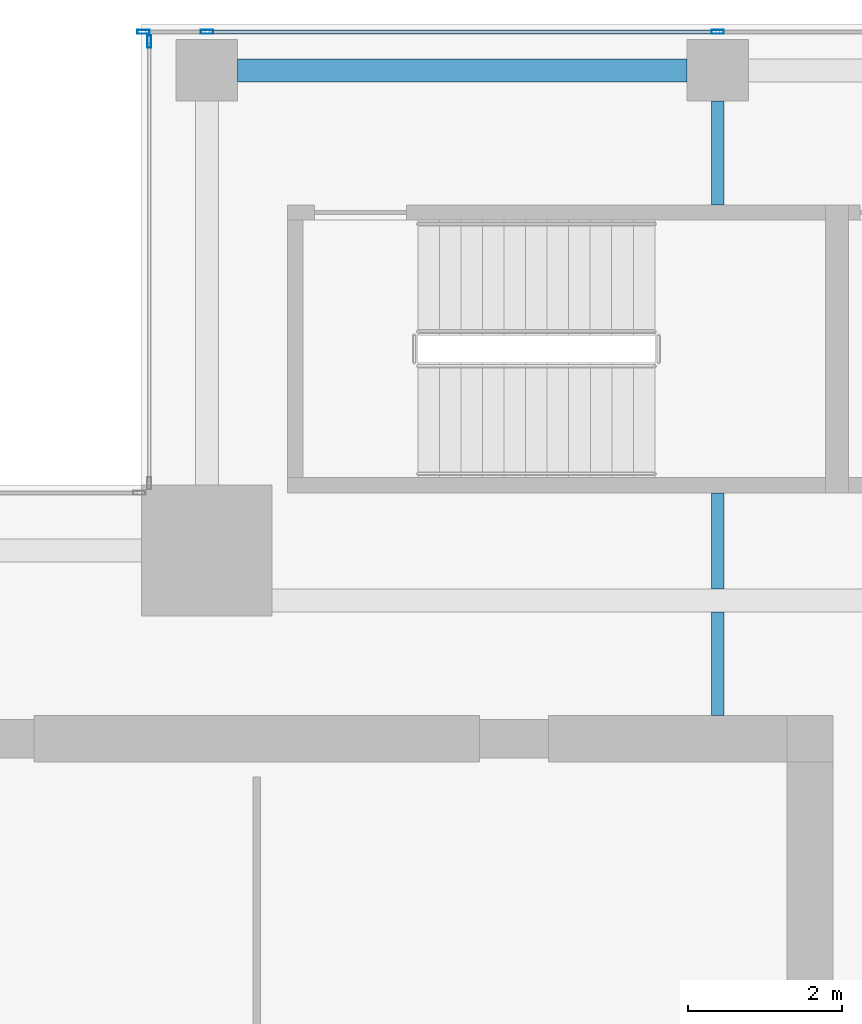
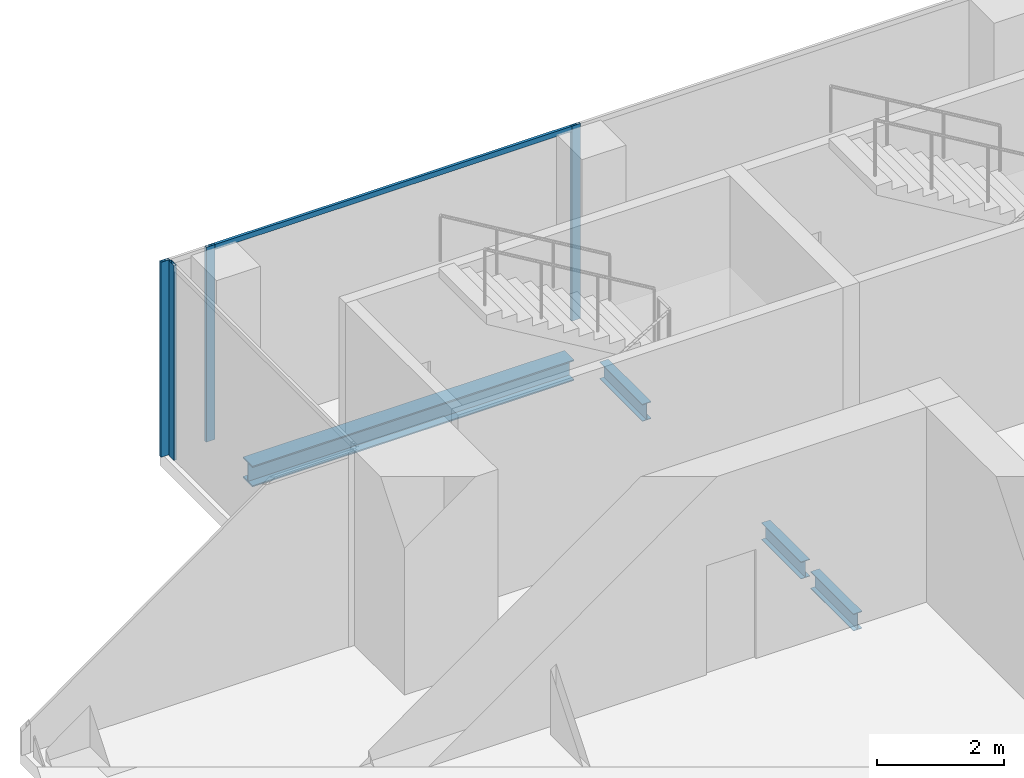
# One storey, part 15 of 29: 5 members, 4 beams, 2 elements without a shape of their own.
"""IFC4 building model written with IfcOpenShell, lengths in metres."""

from ifc_helpers import new_model, si_unit, direction, frame, origin, origin_2d, place, context, subcontext, project, spatial, hollow_rectangle, i_section, extrude, source, transform, mapped, material, material_profile, profile_set, type_object, element, aggregate, save


model = new_model("IFC4")

# Units and contexts
model_context = context("Model", 3, precision=1e-05, world=origin(), true_north=direction((0.0, 1.0)))
body_context = subcontext(model_context, "Body", "Model", "MODEL_VIEW")
ifc_project = project(units=[si_unit("LENGTHUNIT", "METRE"), si_unit("AREAUNIT", "SQUARE_METRE"), si_unit("VOLUMEUNIT", "CUBIC_METRE"), si_unit("PLANEANGLEUNIT", "RADIAN"), si_unit("MASSUNIT", "GRAM", prefix="KILO")], contexts=[model_context])

# Site, building, storey
site_placement = place(None, origin())
site = spatial("IfcSite", under=ifc_project, at=site_placement, CompositionType="ELEMENT")
building_placement = place(site_placement, origin())
building = spatial("IfcBuilding", under=site, at=building_placement, Name="Khomas Fold Tower", CompositionType="ELEMENT")
storey_placement = place(building_placement, frame((0.0, 0.0, 310.199951171875)))
storey = spatial("IfcBuildingStorey", under=building, at=storey_placement, Name="L70", CompositionType="ELEMENT", Elevation=310.199951171875)

# Beams
ifc_material_1 = material(Name="Steel S355", Category="steel")
ifc_material_profile_1 = material_profile(ifc_material_1, i_section(OverallWidth=0.159912109375, OverallDepth=0.330078125, WebThickness=0.007568359375, FlangeThickness=0.011474609375, at=origin_2d()), Name="IPE 330")
ifc_profile_set_1 = profile_set([ifc_material_profile_1], Name="Steel S355")
beam_type_1 = type_object("IfcBeamType", Name="IPE 330 beam JB1", PredefinedType="BEAM", material=ifc_profile_set_1)
shared_shape_1 = source(origin(), body_context, "Body", "SweptSolid", [
    extrude(i_section(OverallWidth=0.159912109375, OverallDepth=0.330078125, WebThickness=0.007568359375, FlangeThickness=0.011474609375, at=origin_2d()), origin(), (0.0, 0.0, 1.0), 1.25),
])
beam_1_placement = place(storey_placement, frame((19.5, 40.64990234375, -0.4150390625), z_axis=(0.0, 1.0, 0.0), x_axis=(-1.0, 0.0, 0.0)))
element("IfcBeam", 1, at=beam_1_placement, inside=storey, type_object=beam_type_1, Name="JB1", PredefinedType="BEAM", context=body_context, shape_type="MappedRepresentation", body=[
    mapped(shared_shape_1, transform((0.0, 0.0, 0.0))),
])
shared_shape_2 = source(origin(), body_context, "Body", "SweptSolid", [
    extrude(i_section(OverallWidth=0.159912109375, OverallDepth=0.330078125, WebThickness=0.007568359375, FlangeThickness=0.011474609375, at=origin_2d()), origin(), (0.0, 0.0, 1.0), 1.35009765625),
])
for number, where, z_axis, x_axis, name in (
    (2, (19.5, 39.0, -0.4150390625), (0.0, 1.0, 0.0), (-1.0, 0.0, 0.0), "JB1"),
    (3, (19.5, 45.64990234375, -0.4150390625), (0.0, 1.0, 0.0), (-1.0, 0.0, 0.0), "JB1"),
):
    element("IfcBeam", number, at=place(storey_placement, frame(where, z_axis=z_axis, x_axis=x_axis)), inside=storey, type_object=beam_type_1, Name=name, PredefinedType="BEAM", context=body_context, shape_type="MappedRepresentation", body=[
        mapped(shared_shape_2, transform((0.0, 0.0, 0.0))),
    ])
ifc_material_2 = material(Name="Steel S355", Category="steel")
ifc_material_profile_2 = material_profile(ifc_material_2, i_section(OverallWidth=0.300048828125, OverallDepth=0.39990234375, WebThickness=0.013427734375, FlangeThickness=0.02392578125, at=origin_2d()), Name="HE 400 B")
ifc_profile_set_2 = profile_set([ifc_material_profile_2], Name="Steel S355")
beam_type_2 = type_object("IfcBeamType", Name="HE 400 B spandrel SB5", PredefinedType="SPANDREL", material=ifc_profile_set_2)
shared_shape_3 = source(origin(), body_context, "Body", "SweptSolid", [
    extrude(i_section(OverallWidth=0.300048828125, OverallDepth=0.39990234375, WebThickness=0.013427734375, FlangeThickness=0.02392578125, at=origin_2d()), origin(), (0.0, 0.0, 1.0), 5.85009765625),
])
beam_2_placement = place(storey_placement, frame((13.25, 47.39990234375, -0.449951171875), z_axis=(1.0, 0.0, 0.0), x_axis=(0.0, 1.0, 0.0)))
element("IfcBeam", 4, at=beam_2_placement, inside=storey, type_object=beam_type_2, Name="SB5", PredefinedType="SPANDREL", context=body_context, shape_type="MappedRepresentation", body=[
    mapped(shared_shape_3, transform((0.0, 0.0, 0.0))),
])

# Curtain wall, members
ifc_material_3 = material(Name="Aluminium framed double glazing", Category="aluminium")
curtain_wall_type = type_object("IfcCurtainWallType", Name="SK-Unitised clear-glass wall, upper floors CW3", PredefinedType="NOTDEFINED", material=ifc_material_3)
curtain_wall_1_placement = place(storey_placement, origin())
curtain_wall_1 = element("IfcCurtainWall", 5, at=curtain_wall_1_placement, inside=storey, type_object=curtain_wall_type, Name="CW3 run L70 06-1", PredefinedType="NOTDEFINED")
ifc_material_4 = material(Name="Aluminium", Category="aluminium")
ifc_material_profile_3 = material_profile(ifc_material_4, hollow_rectangle(XDim=0.050048828125, YDim=0.159912109375, WallThickness=0.00390625, at=origin_2d()), Name="SK-Unitised clear-glass wall, upper floors mullion CW3-M")
ifc_profile_set_3 = profile_set([ifc_material_profile_3], Name="Aluminium")
member_type_1 = type_object("IfcMemberType", Name="SK-Unitised clear-glass wall, upper floors mullion CW3-M", PredefinedType="MULLION", material=ifc_profile_set_3)
shared_shape_4 = source(origin(), body_context, "Body", "SweptSolid", [
    extrude(hollow_rectangle(XDim=0.050048828125, YDim=0.159912109375, WallThickness=0.00390625, at=origin_2d()), origin(), (0.0, 0.0, 1.0), 3.75),
])
member_1_placement = place(storey_placement, frame((19.5, 47.89990234375, 0.0), z_axis=(0.0, 0.0, 1.0), x_axis=(0.0, -1.0, 0.0)))
member_1 = element("IfcMember", 6, at=member_1_placement, type_object=member_type_1, Name="CW3 mullion 4", PredefinedType="MULLION", context=body_context, shape_type="MappedRepresentation", body=[
    mapped(shared_shape_4, transform((0.0, 0.0, 0.0))),
])
member_2_placement = place(storey_placement, frame((12.85009765625, 47.89990234375, 0.0), z_axis=(0.0, 0.0, 1.0), x_axis=(0.0, -1.0, 0.0)))
member_2 = element("IfcMember", 7, at=member_2_placement, type_object=member_type_1, Name="CW3 mullion 5", PredefinedType="MULLION", context=body_context, shape_type="MappedRepresentation", body=[
    mapped(shared_shape_4, transform((0.0, 0.0, 0.0))),
])
member_3_placement = place(storey_placement, frame((12.02490234375, 47.89990234375, 0.0), z_axis=(0.0, 0.0, 1.0), x_axis=(0.0, -1.0, 0.0)))
member_3 = element("IfcMember", 8, at=member_3_placement, type_object=member_type_1, Name="CW3 mullion 6", PredefinedType="MULLION", context=body_context, shape_type="MappedRepresentation", body=[
    mapped(shared_shape_4, transform((0.0, 0.0, 0.0))),
])

# Curtain wall, member
curtain_wall_2_placement = place(storey_placement, origin())
curtain_wall_2 = element("IfcCurtainWall", 9, at=curtain_wall_2_placement, inside=storey, type_object=curtain_wall_type, Name="CW3 corner return L70 07", PredefinedType="NOTDEFINED")
member_4_placement = place(storey_placement, frame((12.10009765625, 47.77490234375, 0.0), z_axis=(0.0, 0.0, 1.0), x_axis=(1.0, 0.0, 0.0)))
member_4 = element("IfcMember", 10, at=member_4_placement, type_object=member_type_1, Name="CW3 mullion 1", PredefinedType="MULLION", context=body_context, shape_type="MappedRepresentation", body=[
    mapped(shared_shape_4, transform((0.0, 0.0, 0.0))),
])
aggregate(curtain_wall_2, [member_4])

# Member
ifc_material_5 = material(Name="Aluminium", Category="aluminium")
ifc_material_profile_4 = material_profile(ifc_material_5, hollow_rectangle(XDim=0.050048828125, YDim=0.10009765625, WallThickness=0.00390625, at=origin_2d()), Name="SK-Unitised clear-glass wall, upper floors transom CW3-T")
ifc_profile_set_4 = profile_set([ifc_material_profile_4], Name="Aluminium")
member_type_2 = type_object("IfcMemberType", Name="SK-Unitised clear-glass wall, upper floors transom CW3-T", PredefinedType="USERDEFINED", material=ifc_profile_set_4)
shared_shape_5 = source(origin(), body_context, "Body", "SweptSolid", [
    extrude(hollow_rectangle(XDim=0.050048828125, YDim=0.10009765625, WallThickness=0.00390625, at=origin_2d()), origin(), (0.0, 0.0, 1.0), 6.60009765625),
])
member_5_placement = place(storey_placement, frame((19.47509765625, 47.89990234375, 3.699951171875), z_axis=(-1.0, 0.0, 0.0), x_axis=(0.0, -1.0, 0.0)))
member_5 = element("IfcMember", 11, at=member_5_placement, type_object=member_type_2, Name="CW3 transom 4", ObjectType="TRANSOM", PredefinedType="USERDEFINED", context=body_context, shape_type="MappedRepresentation", body=[
    mapped(shared_shape_5, transform((0.0, 0.0, 0.0))),
])

aggregate(curtain_wall_1, [member_1, member_2, member_3, member_5])

save(model, "model.ifc")
